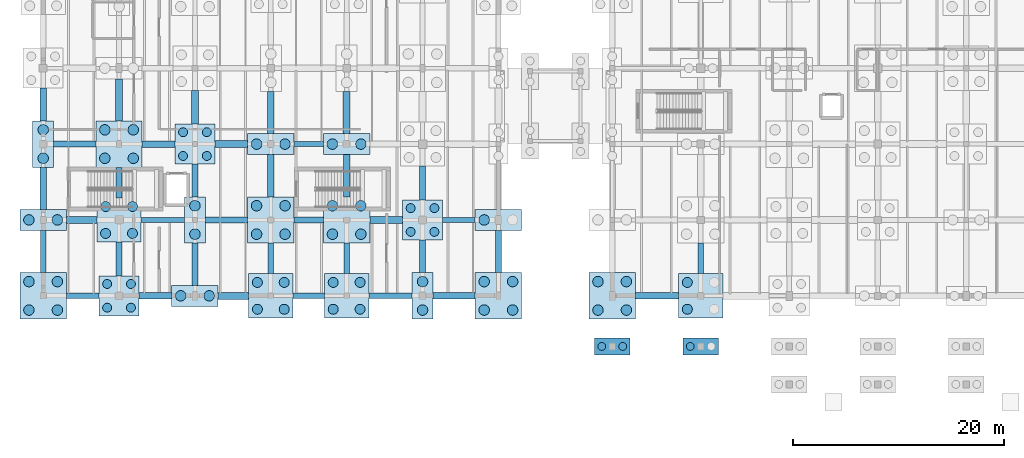
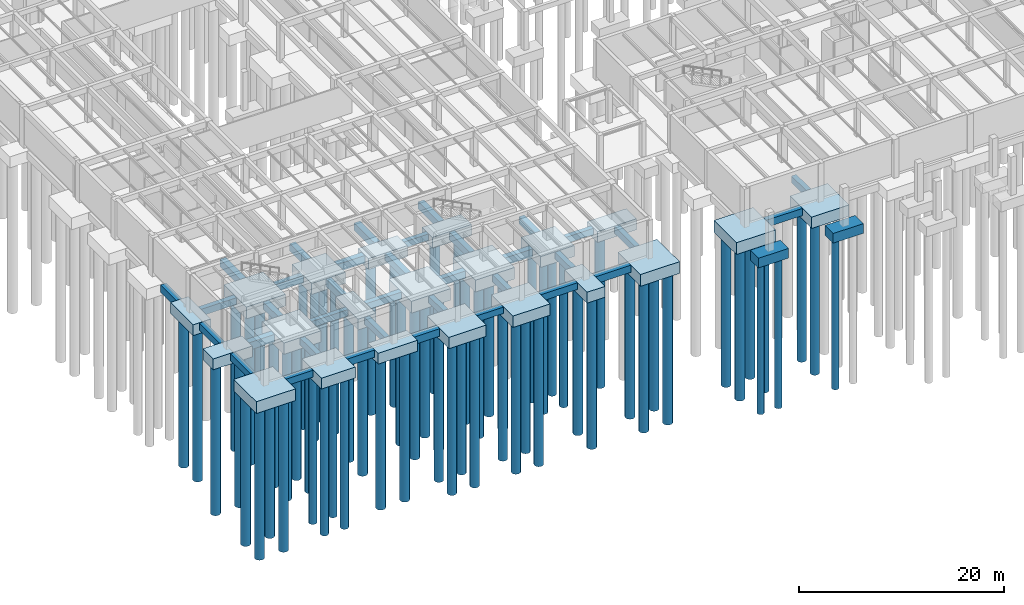
# One storey, part 1 of 63: 68 piles, 59 footings.
"""IFC4 building model written with IfcOpenShell, lengths in metres."""

from ifc_helpers import new_model, si_unit, direction, frame, origin, origin_2d, place, context, subcontext, project, spatial, rectangle, circle, extrude, material, material_profile, profile_set, type_object, element, save


model = new_model("IFC4")

# Units and contexts
model_context = context("Model", 3, precision=1e-05, world=origin(), true_north=direction((0.0, 1.0)))
body_context = subcontext(model_context, "Body", "Model", "MODEL_VIEW")
ifc_project = project(units=[si_unit("LENGTHUNIT", "METRE"), si_unit("AREAUNIT", "SQUARE_METRE"), si_unit("VOLUMEUNIT", "CUBIC_METRE"), si_unit("PLANEANGLEUNIT", "RADIAN"), si_unit("MASSUNIT", "GRAM", prefix="KILO")], contexts=[model_context])

# Site, building, storey
site_placement = place(None, origin())
site = spatial("IfcSite", under=ifc_project, at=site_placement, CompositionType="ELEMENT")
building_placement = place(site_placement, origin())
building = spatial("IfcBuilding", under=site, at=building_placement, Name="Mazaris Harbour Polytechnic", CompositionType="ELEMENT")
storey_placement = place(building_placement, frame((0.0, 0.0, -4.5)))
storey = spatial("IfcBuildingStorey", under=building, at=storey_placement, Name="B1", CompositionType="ELEMENT", Elevation=-4.5)

# Piles
ifc_material_1 = material(Name="Concrete C35/45", Category="concrete")
ifc_material_profile_1 = material_profile(ifc_material_1, circle(Radius=0.5, at=origin_2d()), Name="DIA1000")
ifc_profile_set_1 = profile_set([ifc_material_profile_1], Name="Concrete C35/45")
pile_type_1 = type_object("IfcPileType", Name="Bored Pile 1000", PredefinedType="BORED", material=ifc_profile_set_1)
for number, where, z_axis, x_axis, name in (
    (1, (52.64990234375, 5.85009765625, -1.719970703125), (0.0, 0.0, -1.0), (1.0, 0.0, 0.0), "Bored Pile BP-112-1"),
    (2, (55.35009765625, 5.85009765625, -1.719970703125), (0.0, 0.0, -1.0), (1.0, 0.0, 0.0), "Bored Pile BP-112-2"),
    (3, (52.64990234375, 8.550048828125, -1.719970703125), (0.0, 0.0, -1.0), (1.0, 0.0, 0.0), "Bored Pile BP-112-3"),
    (4, (55.35009765625, 8.550048828125, -1.719970703125), (0.0, 0.0, -1.0), (1.0, 0.0, 0.0), "Bored Pile BP-112-4"),
    (5, (-1.35009765625, 5.85009765625, -1.719970703125), (0.0, 0.0, -1.0), (1.0, 0.0, 0.0), "Bored Pile BP-152-1"),
    (6, (1.35009765625, 5.85009765625, -1.719970703125), (0.0, 0.0, -1.0), (1.0, 0.0, 0.0), "Bored Pile BP-152-2"),
    (7, (-1.35009765625, 8.550048828125, -1.719970703125), (0.0, 0.0, -1.0), (1.0, 0.0, 0.0), "Bored Pile BP-152-3"),
    (8, (1.35009765625, 8.550048828125, -1.719970703125), (0.0, 0.0, -1.0), (1.0, 0.0, 0.0), "Bored Pile BP-152-4"),
    (9, (-1.35009765625, 14.39990234375, -1.6201171875), (0.0, 0.0, -1.0), (1.0, 0.0, 0.0), "Bored Pile BP-153-1"),
    (10, (1.35009765625, 14.39990234375, -1.6201171875), (0.0, 0.0, -1.0), (1.0, 0.0, 0.0), "Bored Pile BP-153-2"),
    (11, (0.0, 20.25, -1.6201171875), (0.0, 0.0, -1.0), (1.0, 0.0, 0.0), "Bored Pile BP-154-1"),
    (12, (0.0, 22.949951171875, -1.6201171875), (0.0, 0.0, -1.0), (1.0, 0.0, 0.0), "Bored Pile BP-154-2"),
    (13, (5.85009765625, 20.25, -1.719970703125), (0.0, 0.0, -1.0), (1.0, 0.0, 0.0), "Bored Pile BP-167-1"),
    (14, (8.550048828125, 20.25, -1.719970703125), (0.0, 0.0, -1.0), (1.0, 0.0, 0.0), "Bored Pile BP-167-2"),
    (15, (5.85009765625, 22.949951171875, -1.719970703125), (0.0, 0.0, -1.0), (1.0, 0.0, 0.0), "Bored Pile BP-167-3"),
    (16, (8.550048828125, 22.949951171875, -1.719970703125), (0.0, 0.0, -1.0), (1.0, 0.0, 0.0), "Bored Pile BP-167-4"),
    (17, (13.050048828125, 7.199951171875, -1.6201171875), (0.0, 0.0, -1.0), (1.0, 0.0, 0.0), "Bored Pile BP-178-1"),
    (18, (15.75, 7.199951171875, -1.6201171875), (0.0, 0.0, -1.0), (1.0, 0.0, 0.0), "Bored Pile BP-178-2"),
    (19, (14.39990234375, 13.050048828125, -1.6201171875), (0.0, 0.0, -1.0), (1.0, 0.0, 0.0), "Bored Pile BP-179-1"),
    (20, (14.39990234375, 15.75, -1.6201171875), (0.0, 0.0, -1.0), (1.0, 0.0, 0.0), "Bored Pile BP-179-2"),
    (21, (20.25, 13.050048828125, -1.719970703125), (0.0, 0.0, -1.0), (1.0, 0.0, 0.0), "Bored Pile BP-192-1"),
    (22, (22.949951171875, 13.050048828125, -1.719970703125), (0.0, 0.0, -1.0), (1.0, 0.0, 0.0), "Bored Pile BP-192-2"),
    (23, (20.25, 15.75, -1.719970703125), (0.0, 0.0, -1.0), (1.0, 0.0, 0.0), "Bored Pile BP-192-3"),
    (24, (22.949951171875, 15.75, -1.719970703125), (0.0, 0.0, -1.0), (1.0, 0.0, 0.0), "Bored Pile BP-192-4"),
    (25, (20.25, 21.60009765625, -1.6201171875), (0.0, 0.0, -1.0), (1.0, 0.0, 0.0), "Bored Pile BP-193-1"),
    (26, (22.949951171875, 21.60009765625, -1.6201171875), (0.0, 0.0, -1.0), (1.0, 0.0, 0.0), "Bored Pile BP-193-2"),
    (27, (27.449951171875, 13.050048828125, -1.719970703125), (0.0, 0.0, -1.0), (1.0, 0.0, 0.0), "Bored Pile BP-202-1"),
    (28, (30.14990234375, 13.050048828125, -1.719970703125), (0.0, 0.0, -1.0), (1.0, 0.0, 0.0), "Bored Pile BP-202-2"),
    (29, (27.449951171875, 15.75, -1.719970703125), (0.0, 0.0, -1.0), (1.0, 0.0, 0.0), "Bored Pile BP-202-3"),
    (30, (30.14990234375, 15.75, -1.719970703125), (0.0, 0.0, -1.0), (1.0, 0.0, 0.0), "Bored Pile BP-202-4"),
    (31, (27.449951171875, 21.60009765625, -1.6201171875), (0.0, 0.0, -1.0), (1.0, 0.0, 0.0), "Bored Pile BP-203-1"),
    (32, (30.14990234375, 21.60009765625, -1.6201171875), (0.0, 0.0, -1.0), (1.0, 0.0, 0.0), "Bored Pile BP-203-2"),
    (33, (36.0, 5.85009765625, -1.6201171875), (0.0, 0.0, -1.0), (1.0, 0.0, 0.0), "Bored Pile BP-214-1"),
    (34, (36.0, 8.550048828125, -1.6201171875), (0.0, 0.0, -1.0), (1.0, 0.0, 0.0), "Bored Pile BP-214-2"),
    (35, (41.85009765625, 5.85009765625, -1.719970703125), (0.0, 0.0, -1.0), (1.0, 0.0, 0.0), "Bored Pile BP-227-1"),
    (36, (44.550048828125, 5.85009765625, -1.719970703125), (0.0, 0.0, -1.0), (1.0, 0.0, 0.0), "Bored Pile BP-227-2"),
    (37, (41.85009765625, 8.550048828125, -1.719970703125), (0.0, 0.0, -1.0), (1.0, 0.0, 0.0), "Bored Pile BP-227-3"),
    (38, (44.550048828125, 8.550048828125, -1.719970703125), (0.0, 0.0, -1.0), (1.0, 0.0, 0.0), "Bored Pile BP-227-4"),
    (39, (41.85009765625, 14.39990234375, -1.6201171875), (0.0, 0.0, -1.0), (1.0, 0.0, 0.0), "Bored Pile BP-228-1"),
):
    element("IfcPile", number, at=place(storey_placement, frame(where, z_axis=z_axis, x_axis=x_axis)), inside=storey, type_object=pile_type_1, Name=name, PredefinedType="BORED", context=body_context, shape_type="SweptSolid", body=[
        extrude(circle(Radius=0.5, at=origin_2d()), origin(), (0.0, 0.0, 1.0), 18.0),
    ])
ifc_material_2 = material(Name="Concrete C35/45", Category="concrete")
ifc_material_profile_2 = material_profile(ifc_material_2, circle(Radius=0.375, at=origin_2d()), Name="DIA750")
ifc_profile_set_2 = profile_set([ifc_material_profile_2], Name="Concrete C35/45")
pile_type_2 = type_object("IfcPileType", Name="Bored Pile 750", PredefinedType="BORED", material=ifc_profile_set_2)
for number, where, z_axis, x_axis, name in (
    (40, (53.006103515625, 2.39990234375, -1.429931640625), (0.0, 0.0, -1.0), (1.0, 0.0, 0.0), "Bored Pile BP-328-1"),
    (41, (54.993896484375, 2.39990234375, -1.429931640625), (0.0, 0.0, -1.0), (1.0, 0.0, 0.0), "Bored Pile BP-328-2"),
    (42, (61.40625, 2.39990234375, -1.429931640625), (0.0, 0.0, -1.0), (1.0, 0.0, 0.0), "Bored Pile BP-329-1"),
):
    element("IfcPile", number, at=place(storey_placement, frame(where, z_axis=z_axis, x_axis=x_axis)), inside=storey, type_object=pile_type_2, Name=name, PredefinedType="BORED", context=body_context, shape_type="SweptSolid", body=[
        extrude(circle(Radius=0.375, at=origin_2d()), origin(), (0.0, 0.0, 1.0), 18.0),
    ])
ifc_material_3 = material(Name="Concrete C35/45", Category="concrete")
ifc_material_profile_3 = material_profile(ifc_material_3, circle(Radius=0.425048828125, at=origin_2d()), Name="DIA850")
ifc_profile_set_3 = profile_set([ifc_material_profile_3], Name="Concrete C35/45")
pile_type_3 = type_object("IfcPileType", Name="Bored Pile 850", PredefinedType="BORED", material=ifc_profile_set_3)
for number, where, z_axis, x_axis, name in (
    (43, (6.07373046875, 6.07373046875, -1.6201171875), (0.0, 0.0, -1.0), (1.0, 0.0, 0.0), "Bored Pile BP-165-1"),
    (44, (8.326171875, 6.07373046875, -1.6201171875), (0.0, 0.0, -1.0), (1.0, 0.0, 0.0), "Bored Pile BP-165-2"),
    (45, (6.07373046875, 8.326171875, -1.6201171875), (0.0, 0.0, -1.0), (1.0, 0.0, 0.0), "Bored Pile BP-165-3"),
    (46, (8.326171875, 8.326171875, -1.6201171875), (0.0, 0.0, -1.0), (1.0, 0.0, 0.0), "Bored Pile BP-165-4"),
    (47, (13.273681640625, 20.473876953125, -1.6201171875), (0.0, 0.0, -1.0), (1.0, 0.0, 0.0), "Bored Pile BP-180-1"),
    (48, (15.526123046875, 20.473876953125, -1.6201171875), (0.0, 0.0, -1.0), (1.0, 0.0, 0.0), "Bored Pile BP-180-2"),
    (49, (13.273681640625, 22.726318359375, -1.6201171875), (0.0, 0.0, -1.0), (1.0, 0.0, 0.0), "Bored Pile BP-180-3"),
    (50, (15.526123046875, 22.726318359375, -1.6201171875), (0.0, 0.0, -1.0), (1.0, 0.0, 0.0), "Bored Pile BP-180-4"),
    (51, (34.873779296875, 13.273681640625, -1.6201171875), (0.0, 0.0, -1.0), (1.0, 0.0, 0.0), "Bored Pile BP-215-1"),
    (52, (37.126220703125, 13.273681640625, -1.6201171875), (0.0, 0.0, -1.0), (1.0, 0.0, 0.0), "Bored Pile BP-215-2"),
    (53, (34.873779296875, 15.526123046875, -1.6201171875), (0.0, 0.0, -1.0), (1.0, 0.0, 0.0), "Bored Pile BP-215-3"),
    (54, (37.126220703125, 15.526123046875, -1.6201171875), (0.0, 0.0, -1.0), (1.0, 0.0, 0.0), "Bored Pile BP-215-4"),
):
    element("IfcPile", number, at=place(storey_placement, frame(where, z_axis=z_axis, x_axis=x_axis)), inside=storey, type_object=pile_type_3, Name=name, PredefinedType="BORED", context=body_context, shape_type="SweptSolid", body=[
        extrude(circle(Radius=0.425048828125, at=origin_2d()), origin(), (0.0, 0.0, 1.0), 18.0),
    ])
ifc_material_4 = material(Name="Concrete C35/45", Category="concrete")
ifc_material_profile_4 = material_profile(ifc_material_4, circle(Radius=0.47509765625, at=origin_2d()), Name="DIA950")
ifc_profile_set_4 = profile_set([ifc_material_profile_4], Name="Concrete C35/45")
pile_type_4 = type_object("IfcPileType", Name="Bored Pile 950", PredefinedType="BORED", material=ifc_profile_set_4)
for number, where, z_axis, x_axis, name in (
    (55, (61.125, 5.925048828125, -1.669921875), (0.0, 0.0, -1.0), (1.0, 0.0, 0.0), "Bored Pile BP-117-1"),
    (56, (61.125, 8.47509765625, -1.669921875), (0.0, 0.0, -1.0), (1.0, 0.0, 0.0), "Bored Pile BP-117-3"),
    (57, (5.925048828125, 13.125, -1.669921875), (0.0, 0.0, -1.0), (1.0, 0.0, 0.0), "Bored Pile BP-166-1"),
    (58, (8.47509765625, 13.125, -1.669921875), (0.0, 0.0, -1.0), (1.0, 0.0, 0.0), "Bored Pile BP-166-2"),
    (59, (5.925048828125, 15.675048828125, -1.669921875), (0.0, 0.0, -1.0), (1.0, 0.0, 0.0), "Bored Pile BP-166-3"),
    (60, (8.47509765625, 15.675048828125, -1.669921875), (0.0, 0.0, -1.0), (1.0, 0.0, 0.0), "Bored Pile BP-166-4"),
    (61, (20.324951171875, 5.925048828125, -1.669921875), (0.0, 0.0, -1.0), (1.0, 0.0, 0.0), "Bored Pile BP-191-1"),
    (62, (22.875, 5.925048828125, -1.669921875), (0.0, 0.0, -1.0), (1.0, 0.0, 0.0), "Bored Pile BP-191-2"),
    (63, (20.324951171875, 8.47509765625, -1.669921875), (0.0, 0.0, -1.0), (1.0, 0.0, 0.0), "Bored Pile BP-191-3"),
    (64, (22.875, 8.47509765625, -1.669921875), (0.0, 0.0, -1.0), (1.0, 0.0, 0.0), "Bored Pile BP-191-4"),
    (65, (27.52490234375, 5.925048828125, -1.669921875), (0.0, 0.0, -1.0), (1.0, 0.0, 0.0), "Bored Pile BP-201-1"),
    (66, (30.074951171875, 5.925048828125, -1.669921875), (0.0, 0.0, -1.0), (1.0, 0.0, 0.0), "Bored Pile BP-201-2"),
    (67, (27.52490234375, 8.47509765625, -1.669921875), (0.0, 0.0, -1.0), (1.0, 0.0, 0.0), "Bored Pile BP-201-3"),
    (68, (30.074951171875, 8.47509765625, -1.669921875), (0.0, 0.0, -1.0), (1.0, 0.0, 0.0), "Bored Pile BP-201-4"),
):
    element("IfcPile", number, at=place(storey_placement, frame(where, z_axis=z_axis, x_axis=x_axis)), inside=storey, type_object=pile_type_4, Name=name, PredefinedType="BORED", context=body_context, shape_type="SweptSolid", body=[
        extrude(circle(Radius=0.47509765625, at=origin_2d()), origin(), (0.0, 0.0, 1.0), 18.0),
    ])

# Footings
ifc_material_5 = material(Name="Concrete C35/45", Category="concrete")
footing_type_1 = type_object("IfcFootingType", Name="Pile Cap 2000x4400x1300", PredefinedType="PILE_CAP", material=ifc_material_5)
for number, where, z_axis, x_axis, name in (
    (69, (0.0, 21.60009765625, -1.72021484375), (0.0, 0.0, 1.0), (1.0, 0.0, 0.0), "Pile Cap CAP-154"),
    (70, (14.39990234375, 14.39990234375, -1.72021484375), (0.0, 0.0, 1.0), (1.0, 0.0, 0.0), "Pile Cap CAP-179"),
    (71, (36.0, 7.199951171875, -1.72021484375), (0.0, 0.0, 1.0), (1.0, 0.0, 0.0), "Pile Cap CAP-214"),
):
    element("IfcFooting", number, at=place(storey_placement, frame(where, z_axis=z_axis, x_axis=x_axis)), inside=storey, type_object=footing_type_1, Name=name, PredefinedType="PILE_CAP", context=body_context, shape_type="SweptSolid", body=[
        extrude(rectangle(XDim=2.0, YDim=4.39990234375, at=origin_2d()), origin(), (0.0, 0.0, 1.0), 1.300048828125),
    ])
ifc_material_6 = material(Name="Concrete C35/45", Category="concrete")
footing_type_2 = type_object("IfcFootingType", Name="Pile Cap 3400x1600x1150", PredefinedType="PILE_CAP", material=ifc_material_6)
for number, where, z_axis, x_axis, name in (
    (72, (54.0, 2.39990234375, -1.530029296875), (0.0, 0.0, 1.0), (1.0, 0.0, 0.0), "Pile Cap CAP-328"),
    (73, (62.39990234375, 2.39990234375, -1.530029296875), (0.0, 0.0, 1.0), (1.0, 0.0, 0.0), "Pile Cap CAP-329"),
):
    element("IfcFooting", number, at=place(storey_placement, frame(where, z_axis=z_axis, x_axis=x_axis)), inside=storey, type_object=footing_type_2, Name=name, PredefinedType="PILE_CAP", context=body_context, shape_type="SweptSolid", body=[
        extrude(rectangle(XDim=3.39990234375, YDim=1.60009765625, at=origin_2d()), origin(), (0.0, 0.0, 1.0), 1.14990234375),
    ])
ifc_material_7 = material(Name="Concrete C35/45", Category="concrete")
footing_type_3 = type_object("IfcFootingType", Name="Pile Cap 3800x3800x1300", PredefinedType="PILE_CAP", material=ifc_material_7)
for number, where, z_axis, x_axis, name in (
    (74, (7.199951171875, 7.199951171875, -1.72021484375), (0.0, 0.0, 1.0), (1.0, 0.0, 0.0), "Pile Cap CAP-165"),
    (75, (14.39990234375, 21.60009765625, -1.72021484375), (0.0, 0.0, 1.0), (1.0, 0.0, 0.0), "Pile Cap CAP-180"),
    (76, (36.0, 14.39990234375, -1.72021484375), (0.0, 0.0, 1.0), (1.0, 0.0, 0.0), "Pile Cap CAP-215"),
):
    element("IfcFooting", number, at=place(storey_placement, frame(where, z_axis=z_axis, x_axis=x_axis)), inside=storey, type_object=footing_type_3, Name=name, PredefinedType="PILE_CAP", context=body_context, shape_type="SweptSolid", body=[
        extrude(rectangle(XDim=3.800048828125, YDim=3.800048828125, at=origin_2d()), origin(), (0.0, 0.0, 1.0), 1.300048828125),
    ])
ifc_material_8 = material(Name="Concrete C35/45", Category="concrete")
footing_type_4 = type_object("IfcFootingType", Name="Pile Cap 4200x4200x1350", PredefinedType="PILE_CAP", material=ifc_material_8)
for number, where, z_axis, x_axis, name in (
    (77, (62.39990234375, 7.199951171875, -1.77001953125), (0.0, 0.0, 1.0), (1.0, 0.0, 0.0), "Pile Cap CAP-117"),
    (78, (7.199951171875, 14.39990234375, -1.77001953125), (0.0, 0.0, 1.0), (1.0, 0.0, 0.0), "Pile Cap CAP-166"),
    (79, (21.60009765625, 7.199951171875, -1.77001953125), (0.0, 0.0, 1.0), (1.0, 0.0, 0.0), "Pile Cap CAP-191"),
    (80, (28.800048828125, 7.199951171875, -1.77001953125), (0.0, 0.0, 1.0), (1.0, 0.0, 0.0), "Pile Cap CAP-201"),
):
    element("IfcFooting", number, at=place(storey_placement, frame(where, z_axis=z_axis, x_axis=x_axis)), inside=storey, type_object=footing_type_4, Name=name, PredefinedType="PILE_CAP", context=body_context, shape_type="SweptSolid", body=[
        extrude(rectangle(XDim=4.199951171875, YDim=4.199951171875, at=origin_2d()), origin(), (0.0, 0.0, 1.0), 1.35009765625),
    ])
ifc_material_9 = material(Name="Concrete C35/45", Category="concrete")
footing_type_5 = type_object("IfcFootingType", Name="Pile Cap 4400x2000x1300", PredefinedType="PILE_CAP", material=ifc_material_9)
for number, where, z_axis, x_axis, name in (
    (81, (0.0, 14.39990234375, -1.72021484375), (0.0, 0.0, 1.0), (1.0, 0.0, 0.0), "Pile Cap CAP-153"),
    (82, (14.39990234375, 7.199951171875, -1.72021484375), (0.0, 0.0, 1.0), (1.0, 0.0, 0.0), "Pile Cap CAP-178"),
    (83, (21.60009765625, 21.60009765625, -1.72021484375), (0.0, 0.0, 1.0), (1.0, 0.0, 0.0), "Pile Cap CAP-193"),
    (84, (28.800048828125, 21.60009765625, -1.72021484375), (0.0, 0.0, 1.0), (1.0, 0.0, 0.0), "Pile Cap CAP-203"),
    (85, (43.199951171875, 14.39990234375, -1.72021484375), (0.0, 0.0, 1.0), (1.0, 0.0, 0.0), "Pile Cap CAP-228"),
):
    element("IfcFooting", number, at=place(storey_placement, frame(where, z_axis=z_axis, x_axis=x_axis)), inside=storey, type_object=footing_type_5, Name=name, PredefinedType="PILE_CAP", context=body_context, shape_type="SweptSolid", body=[
        extrude(rectangle(XDim=4.39990234375, YDim=2.0, at=origin_2d()), origin(), (0.0, 0.0, 1.0), 1.300048828125),
    ])
ifc_material_10 = material(Name="Concrete C35/45", Category="concrete")
footing_type_6 = type_object("IfcFootingType", Name="Pile Cap 4400x4400x1400", PredefinedType="PILE_CAP", material=ifc_material_10)
for number, where, z_axis, x_axis, name in (
    (86, (54.0, 7.199951171875, -1.820068359375), (0.0, 0.0, 1.0), (1.0, 0.0, 0.0), "Pile Cap CAP-112"),
    (87, (0.0, 7.199951171875, -1.820068359375), (0.0, 0.0, 1.0), (1.0, 0.0, 0.0), "Pile Cap CAP-152"),
    (88, (7.199951171875, 21.60009765625, -1.820068359375), (0.0, 0.0, 1.0), (1.0, 0.0, 0.0), "Pile Cap CAP-167"),
    (89, (21.60009765625, 14.39990234375, -1.820068359375), (0.0, 0.0, 1.0), (1.0, 0.0, 0.0), "Pile Cap CAP-192"),
    (90, (28.800048828125, 14.39990234375, -1.820068359375), (0.0, 0.0, 1.0), (1.0, 0.0, 0.0), "Pile Cap CAP-202"),
    (91, (43.199951171875, 7.199951171875, -1.820068359375), (0.0, 0.0, 1.0), (1.0, 0.0, 0.0), "Pile Cap CAP-227"),
):
    element("IfcFooting", number, at=place(storey_placement, frame(where, z_axis=z_axis, x_axis=x_axis)), inside=storey, type_object=footing_type_6, Name=name, PredefinedType="PILE_CAP", context=body_context, shape_type="SweptSolid", body=[
        extrude(rectangle(XDim=4.39990234375, YDim=4.39990234375, at=origin_2d()), origin(), (0.0, 0.0, 1.0), 1.39990234375),
    ])
ifc_material_11 = material(Name="Concrete C35/45", Category="concrete")
ifc_material_profile_5 = material_profile(ifc_material_11, rectangle(XDim=0.5, YDim=0.75, at=origin_2d()), Name="RECT500x750")
ifc_profile_set_5 = profile_set([ifc_material_profile_5], Name="Concrete C35/45")
footing_type_7 = type_object("IfcFootingType", Name="Seismic Tie Beam 500x750", PredefinedType="FOOTING_BEAM", material=ifc_profile_set_5)
footing_1_placement = place(storey_placement, frame((23.699951171875, 7.199951171875, -0.8349609375), z_axis=(1.0, 0.0, 0.0), x_axis=(0.0, 1.0, 0.0)))
element("IfcFooting", 92, at=footing_1_placement, inside=storey, type_object=footing_type_7, Name="Seismic Tie Beam FTB-256", PredefinedType="FOOTING_BEAM", context=body_context, shape_type="SweptSolid", body=[
    extrude(rectangle(XDim=0.5, YDim=0.75, at=origin_2d()), origin(), (0.0, 0.0, 1.0), 3.0),
])
footing_2_placement = place(storey_placement, frame((9.300048828125, 14.39990234375, -0.8349609375), z_axis=(1.0, 0.0, 0.0), x_axis=(0.0, 1.0, 0.0)))
element("IfcFooting", 93, at=footing_2_placement, inside=storey, type_object=footing_type_7, Name="Seismic Tie Beam FTB-260", PredefinedType="FOOTING_BEAM", context=body_context, shape_type="SweptSolid", body=[
    extrude(rectangle(XDim=0.5, YDim=0.75, at=origin_2d()), origin(), (0.0, 0.0, 1.0), 4.099853515625),
])
footing_3_placement = place(storey_placement, frame((37.89990234375, 14.39990234375, -0.8349609375), z_axis=(1.0, 0.0, 0.0), x_axis=(0.0, 1.0, 0.0)))
element("IfcFooting", 94, at=footing_3_placement, inside=storey, type_object=footing_type_7, Name="Seismic Tie Beam FTB-264", PredefinedType="FOOTING_BEAM", context=body_context, shape_type="SweptSolid", body=[
    extrude(rectangle(XDim=0.5, YDim=0.75, at=origin_2d()), origin(), (0.0, 0.0, 1.0), 3.10009765625),
])
footing_4_placement = place(storey_placement, frame((23.800048828125, 21.60009765625, -0.8349609375), z_axis=(1.0, 0.0, 0.0), x_axis=(0.0, 1.0, 0.0)))
element("IfcFooting", 95, at=footing_4_placement, inside=storey, type_object=footing_type_7, Name="Seismic Tie Beam FTB-268", PredefinedType="FOOTING_BEAM", context=body_context, shape_type="SweptSolid", body=[
    extrude(rectangle(XDim=0.5, YDim=0.75, at=origin_2d()), origin(), (0.0, 0.0, 1.0), 2.800048828125),
])
ifc_material_12 = material(Name="Concrete C35/45", Category="concrete")
ifc_material_profile_6 = material_profile(ifc_material_12, rectangle(XDim=0.550048828125, YDim=0.800048828125, at=origin_2d()), Name="RECT550x800")
ifc_profile_set_6 = profile_set([ifc_material_profile_6], Name="Concrete C35/45")
footing_type_8 = type_object("IfcFootingType", Name="Seismic Tie Beam 550x800", PredefinedType="FOOTING_BEAM", material=ifc_profile_set_6)
footing_5_placement = place(storey_placement, frame((62.39990234375, 9.300048828125, -0.860107421875), z_axis=(0.0, 1.0, 0.0), x_axis=(-1.0, 0.0, 0.0)))
element("IfcFooting", 96, at=footing_5_placement, inside=storey, type_object=footing_type_8, Name="Seismic Tie Beam FTB-225", PredefinedType="FOOTING_BEAM", context=body_context, shape_type="SweptSolid", body=[
    extrude(rectangle(XDim=0.550048828125, YDim=0.800048828125, at=origin_2d()), origin(), (0.0, 0.0, 1.0), 2.89990234375),
])
footing_6_placement = place(storey_placement, frame((2.199951171875, 7.199951171875, -0.860107421875), z_axis=(1.0, 0.0, 0.0), x_axis=(0.0, 1.0, 0.0)))
element("IfcFooting", 97, at=footing_6_placement, inside=storey, type_object=footing_type_8, Name="Seismic Tie Beam FTB-253", PredefinedType="FOOTING_BEAM", context=body_context, shape_type="SweptSolid", body=[
    extrude(rectangle(XDim=0.550048828125, YDim=0.800048828125, at=origin_2d()), origin(), (0.0, 0.0, 1.0), 3.10009765625),
])
footing_7_placement = place(storey_placement, frame((30.89990234375, 7.199951171875, -0.860107421875), z_axis=(1.0, 0.0, 0.0), x_axis=(0.0, 1.0, 0.0)))
element("IfcFooting", 98, at=footing_7_placement, inside=storey, type_object=footing_type_8, Name="Seismic Tie Beam FTB-257", PredefinedType="FOOTING_BEAM", context=body_context, shape_type="SweptSolid", body=[
    extrude(rectangle(XDim=0.550048828125, YDim=0.800048828125, at=origin_2d()), origin(), (0.0, 0.0, 1.0), 4.10009765625),
])
for number, where, z_axis, x_axis, name in (
    (99, (15.39990234375, 14.39990234375, -0.860107421875), (1.0, 0.0, 0.0), (0.0, 1.0, 0.0), "Seismic Tie Beam FTB-261"),
    (100, (1.0, 21.60009765625, -0.860107421875), (1.0, 0.0, 0.0), (0.0, 1.0, 0.0), "Seismic Tie Beam FTB-265"),
    (101, (0.0, 9.39990234375, -0.860107421875), (0.0, 1.0, 0.0), (-1.0, 0.0, 0.0), "Seismic Tie Beam FTB-325"),
):
    element("IfcFooting", number, at=place(storey_placement, frame(where, z_axis=z_axis, x_axis=x_axis)), inside=storey, type_object=footing_type_8, Name=name, PredefinedType="FOOTING_BEAM", context=body_context, shape_type="SweptSolid", body=[
        extrude(rectangle(XDim=0.550048828125, YDim=0.800048828125, at=origin_2d()), origin(), (0.0, 0.0, 1.0), 4.0),
    ])
footing_8_placement = place(storey_placement, frame((7.199951171875, 9.10009765625, -0.860107421875), z_axis=(0.0, 1.0, 0.0), x_axis=(-1.0, 0.0, 0.0)))
element("IfcFooting", 102, at=footing_8_placement, inside=storey, type_object=footing_type_8, Name="Seismic Tie Beam FTB-337", PredefinedType="FOOTING_BEAM", context=body_context, shape_type="SweptSolid", body=[
    extrude(rectangle(XDim=0.550048828125, YDim=0.800048828125, at=origin_2d()), origin(), (0.0, 0.0, 1.0), 3.199951171875),
])
footing_9_placement = place(storey_placement, frame((14.39990234375, 8.199951171875, -0.860107421875), z_axis=(0.0, 1.0, 0.0), x_axis=(-1.0, 0.0, 0.0)))
element("IfcFooting", 103, at=footing_9_placement, inside=storey, type_object=footing_type_8, Name="Seismic Tie Beam FTB-349", PredefinedType="FOOTING_BEAM", context=body_context, shape_type="SweptSolid", body=[
    extrude(rectangle(XDim=0.550048828125, YDim=0.800048828125, at=origin_2d()), origin(), (0.0, 0.0, 1.0), 4.0),
])
for number, where, z_axis, x_axis, name in (
    (104, (21.60009765625, 9.300048828125, -0.860107421875), (0.0, 1.0, 0.0), (-1.0, 0.0, 0.0), "Seismic Tie Beam FTB-361"),
    (105, (28.800048828125, 9.300048828125, -0.860107421875), (0.0, 1.0, 0.0), (-1.0, 0.0, 0.0), "Seismic Tie Beam FTB-369"),
):
    element("IfcFooting", number, at=place(storey_placement, frame(where, z_axis=z_axis, x_axis=x_axis)), inside=storey, type_object=footing_type_8, Name=name, PredefinedType="FOOTING_BEAM", context=body_context, shape_type="SweptSolid", body=[
        extrude(rectangle(XDim=0.550048828125, YDim=0.800048828125, at=origin_2d()), origin(), (0.0, 0.0, 1.0), 2.89990234375),
    ])
footing_10_placement = place(storey_placement, frame((36.0, 9.39990234375, -0.860107421875), z_axis=(0.0, 1.0, 0.0), x_axis=(-1.0, 0.0, 0.0)))
element("IfcFooting", 106, at=footing_10_placement, inside=storey, type_object=footing_type_8, Name="Seismic Tie Beam FTB-381", PredefinedType="FOOTING_BEAM", context=body_context, shape_type="SweptSolid", body=[
    extrude(rectangle(XDim=0.550048828125, YDim=0.800048828125, at=origin_2d()), origin(), (0.0, 0.0, 1.0), 3.10009765625),
])
footing_11_placement = place(storey_placement, frame((43.199951171875, 9.39990234375, -0.860107421875), z_axis=(0.0, 1.0, 0.0), x_axis=(-1.0, 0.0, 0.0)))
element("IfcFooting", 107, at=footing_11_placement, inside=storey, type_object=footing_type_8, Name="Seismic Tie Beam FTB-393", PredefinedType="FOOTING_BEAM", context=body_context, shape_type="SweptSolid", body=[
    extrude(rectangle(XDim=0.550048828125, YDim=0.800048828125, at=origin_2d()), origin(), (0.0, 0.0, 1.0), 4.0),
])
ifc_material_13 = material(Name="Concrete C35/45", Category="concrete")
ifc_material_profile_7 = material_profile(ifc_material_13, rectangle(XDim=0.60009765625, YDim=0.85009765625, at=origin_2d()), Name="RECT600x850")
ifc_profile_set_7 = profile_set([ifc_material_profile_7], Name="Concrete C35/45")
footing_type_9 = type_object("IfcFootingType", Name="Seismic Tie Beam 600x850", PredefinedType="FOOTING_BEAM", material=ifc_profile_set_7)
footing_12_placement = place(storey_placement, frame((56.199951171875, 7.199951171875, -0.885009765625), z_axis=(1.0, 0.0, 0.0), x_axis=(0.0, 1.0, 0.0)))
element("IfcFooting", 108, at=footing_12_placement, inside=storey, type_object=footing_type_9, Name="Seismic Tie Beam FTB-186", PredefinedType="FOOTING_BEAM", context=body_context, shape_type="SweptSolid", body=[
    extrude(rectangle(XDim=0.60009765625, YDim=0.85009765625, at=origin_2d()), origin(), (0.0, 0.0, 1.0), 4.10009765625),
])
footing_13_placement = place(storey_placement, frame((9.10009765625, 7.199951171875, -0.885009765625), z_axis=(1.0, 0.0, 0.0), x_axis=(0.0, 1.0, 0.0)))
element("IfcFooting", 109, at=footing_13_placement, inside=storey, type_object=footing_type_9, Name="Seismic Tie Beam FTB-254", PredefinedType="FOOTING_BEAM", context=body_context, shape_type="SweptSolid", body=[
    extrude(rectangle(XDim=0.60009765625, YDim=0.85009765625, at=origin_2d()), origin(), (0.0, 0.0, 1.0), 3.099853515625),
])
footing_14_placement = place(storey_placement, frame((37.0, 7.199951171875, -0.885009765625), z_axis=(1.0, 0.0, 0.0), x_axis=(0.0, 1.0, 0.0)))
element("IfcFooting", 110, at=footing_14_placement, inside=storey, type_object=footing_type_9, Name="Seismic Tie Beam FTB-258", PredefinedType="FOOTING_BEAM", context=body_context, shape_type="SweptSolid", body=[
    extrude(rectangle(XDim=0.60009765625, YDim=0.85009765625, at=origin_2d()), origin(), (0.0, 0.0, 1.0), 4.0),
])
footing_15_placement = place(storey_placement, frame((23.800048828125, 14.39990234375, -0.885009765625), z_axis=(1.0, 0.0, 0.0), x_axis=(0.0, 1.0, 0.0)))
element("IfcFooting", 111, at=footing_15_placement, inside=storey, type_object=footing_type_9, Name="Seismic Tie Beam FTB-262", PredefinedType="FOOTING_BEAM", context=body_context, shape_type="SweptSolid", body=[
    extrude(rectangle(XDim=0.60009765625, YDim=0.85009765625, at=origin_2d()), origin(), (0.0, 0.0, 1.0), 2.800048828125),
])
footing_16_placement = place(storey_placement, frame((9.39990234375, 21.60009765625, -0.885009765625), z_axis=(1.0, 0.0, 0.0), x_axis=(0.0, 1.0, 0.0)))
element("IfcFooting", 112, at=footing_16_placement, inside=storey, type_object=footing_type_9, Name="Seismic Tie Beam FTB-266", PredefinedType="FOOTING_BEAM", context=body_context, shape_type="SweptSolid", body=[
    extrude(rectangle(XDim=0.60009765625, YDim=0.85009765625, at=origin_2d()), origin(), (0.0, 0.0, 1.0), 3.10009765625),
])
footing_17_placement = place(storey_placement, frame((0.0, 15.39990234375, -0.885009765625), z_axis=(0.0, 1.0, 0.0), x_axis=(-1.0, 0.0, 0.0)))
element("IfcFooting", 113, at=footing_17_placement, inside=storey, type_object=footing_type_9, Name="Seismic Tie Beam FTB-326", PredefinedType="FOOTING_BEAM", context=body_context, shape_type="SweptSolid", body=[
    extrude(rectangle(XDim=0.60009765625, YDim=0.85009765625, at=origin_2d()), origin(), (0.0, 0.0, 1.0), 4.0),
])
footing_18_placement = place(storey_placement, frame((7.199951171875, 16.5, -0.885009765625), z_axis=(0.0, 1.0, 0.0), x_axis=(-1.0, 0.0, 0.0)))
element("IfcFooting", 114, at=footing_18_placement, inside=storey, type_object=footing_type_9, Name="Seismic Tie Beam FTB-338", PredefinedType="FOOTING_BEAM", context=body_context, shape_type="SweptSolid", body=[
    extrude(rectangle(XDim=0.60009765625, YDim=0.85009765625, at=origin_2d()), origin(), (0.0, 0.0, 1.0), 2.89990234375),
])
footing_19_placement = place(storey_placement, frame((14.39990234375, 16.60009765625, -0.885009765625), z_axis=(0.0, 1.0, 0.0), x_axis=(-1.0, 0.0, 0.0)))
element("IfcFooting", 115, at=footing_19_placement, inside=storey, type_object=footing_type_9, Name="Seismic Tie Beam FTB-350", PredefinedType="FOOTING_BEAM", context=body_context, shape_type="SweptSolid", body=[
    extrude(rectangle(XDim=0.60009765625, YDim=0.85009765625, at=origin_2d()), origin(), (0.0, 0.0, 1.0), 3.099853515625),
])
for number, where, z_axis, x_axis, name in (
    (116, (21.60009765625, 16.60009765625, -0.885009765625), (0.0, 1.0, 0.0), (-1.0, 0.0, 0.0), "Seismic Tie Beam FTB-362"),
    (117, (28.800048828125, 16.60009765625, -0.885009765625), (0.0, 1.0, 0.0), (-1.0, 0.0, 0.0), "Seismic Tie Beam FTB-370"),
):
    element("IfcFooting", number, at=place(storey_placement, frame(where, z_axis=z_axis, x_axis=x_axis)), inside=storey, type_object=footing_type_9, Name=name, PredefinedType="FOOTING_BEAM", context=body_context, shape_type="SweptSolid", body=[
        extrude(rectangle(XDim=0.60009765625, YDim=0.85009765625, at=origin_2d()), origin(), (0.0, 0.0, 1.0), 4.0),
    ])
footing_20_placement = place(storey_placement, frame((36.0, 16.300048828125, -0.885009765625), z_axis=(0.0, 1.0, 0.0), x_axis=(-1.0, 0.0, 0.0)))
element("IfcFooting", 118, at=footing_20_placement, inside=storey, type_object=footing_type_9, Name="Seismic Tie Beam FTB-382", PredefinedType="FOOTING_BEAM", context=body_context, shape_type="SweptSolid", body=[
    extrude(rectangle(XDim=0.60009765625, YDim=0.85009765625, at=origin_2d()), origin(), (0.0, 0.0, 1.0), 3.199951171875),
])
ifc_material_14 = material(Name="Concrete C35/45", Category="concrete")
ifc_material_profile_8 = material_profile(ifc_material_14, rectangle(XDim=0.64990234375, YDim=0.89990234375, at=origin_2d()), Name="RECT650x900")
ifc_profile_set_8 = profile_set([ifc_material_profile_8], Name="Concrete C35/45")
footing_type_10 = type_object("IfcFootingType", Name="Seismic Tie Beam 650x900", PredefinedType="FOOTING_BEAM", material=ifc_profile_set_8)
footing_21_placement = place(storey_placement, frame((16.60009765625, 7.199951171875, -0.909912109375), z_axis=(1.0, 0.0, 0.0), x_axis=(0.0, 1.0, 0.0)))
element("IfcFooting", 119, at=footing_21_placement, inside=storey, type_object=footing_type_10, Name="Seismic Tie Beam FTB-255", PredefinedType="FOOTING_BEAM", context=body_context, shape_type="SweptSolid", body=[
    extrude(rectangle(XDim=0.64990234375, YDim=0.89990234375, at=origin_2d()), origin(), (0.0, 0.0, 1.0), 2.89990234375),
])
footing_22_placement = place(storey_placement, frame((2.199951171875, 14.39990234375, -0.909912109375), z_axis=(1.0, 0.0, 0.0), x_axis=(0.0, 1.0, 0.0)))
element("IfcFooting", 120, at=footing_22_placement, inside=storey, type_object=footing_type_10, Name="Seismic Tie Beam FTB-259", PredefinedType="FOOTING_BEAM", context=body_context, shape_type="SweptSolid", body=[
    extrude(rectangle(XDim=0.64990234375, YDim=0.89990234375, at=origin_2d()), origin(), (0.0, 0.0, 1.0), 2.900146484375),
])
footing_23_placement = place(storey_placement, frame((31.0, 14.39990234375, -0.909912109375), z_axis=(1.0, 0.0, 0.0), x_axis=(0.0, 1.0, 0.0)))
element("IfcFooting", 121, at=footing_23_placement, inside=storey, type_object=footing_type_10, Name="Seismic Tie Beam FTB-263", PredefinedType="FOOTING_BEAM", context=body_context, shape_type="SweptSolid", body=[
    extrude(rectangle(XDim=0.64990234375, YDim=0.89990234375, at=origin_2d()), origin(), (0.0, 0.0, 1.0), 3.10009765625),
])
for number, where, z_axis, x_axis, name in (
    (122, (16.300048828125, 21.60009765625, -0.909912109375), (1.0, 0.0, 0.0), (0.0, 1.0, 0.0), "Seismic Tie Beam FTB-267"),
    (123, (0.0, 23.800048828125, -0.909912109375), (0.0, 1.0, 0.0), (-1.0, 0.0, 0.0), "Seismic Tie Beam FTB-327"),
):
    element("IfcFooting", number, at=place(storey_placement, frame(where, z_axis=z_axis, x_axis=x_axis)), inside=storey, type_object=footing_type_10, Name=name, PredefinedType="FOOTING_BEAM", context=body_context, shape_type="SweptSolid", body=[
        extrude(rectangle(XDim=0.64990234375, YDim=0.89990234375, at=origin_2d()), origin(), (0.0, 0.0, 1.0), 3.099853515625),
    ])
footing_24_placement = place(storey_placement, frame((7.199951171875, 23.800048828125, -0.909912109375), z_axis=(0.0, 1.0, 0.0), x_axis=(-1.0, 0.0, 0.0)))
element("IfcFooting", 124, at=footing_24_placement, inside=storey, type_object=footing_type_10, Name="Seismic Tie Beam FTB-339", PredefinedType="FOOTING_BEAM", context=body_context, shape_type="SweptSolid", body=[
    extrude(rectangle(XDim=0.64990234375, YDim=0.89990234375, at=origin_2d()), origin(), (0.0, 0.0, 1.0), 4.0),
])
footing_25_placement = place(storey_placement, frame((14.39990234375, 23.5, -0.909912109375), z_axis=(0.0, 1.0, 0.0), x_axis=(-1.0, 0.0, 0.0)))
element("IfcFooting", 125, at=footing_25_placement, inside=storey, type_object=footing_type_10, Name="Seismic Tie Beam FTB-351", PredefinedType="FOOTING_BEAM", context=body_context, shape_type="SweptSolid", body=[
    extrude(rectangle(XDim=0.64990234375, YDim=0.89990234375, at=origin_2d()), origin(), (0.0, 0.0, 1.0), 3.199951171875),
])
for number, where, z_axis, x_axis, name in (
    (126, (21.60009765625, 22.60009765625, -0.909912109375), (0.0, 1.0, 0.0), (-1.0, 0.0, 0.0), "Seismic Tie Beam FTB-363"),
    (127, (28.800048828125, 22.60009765625, -0.909912109375), (0.0, 1.0, 0.0), (-1.0, 0.0, 0.0), "Seismic Tie Beam FTB-371"),
):
    element("IfcFooting", number, at=place(storey_placement, frame(where, z_axis=z_axis, x_axis=x_axis)), inside=storey, type_object=footing_type_10, Name=name, PredefinedType="FOOTING_BEAM", context=body_context, shape_type="SweptSolid", body=[
        extrude(rectangle(XDim=0.64990234375, YDim=0.89990234375, at=origin_2d()), origin(), (0.0, 0.0, 1.0), 4.0),
    ])

save(model, "model.ifc")
